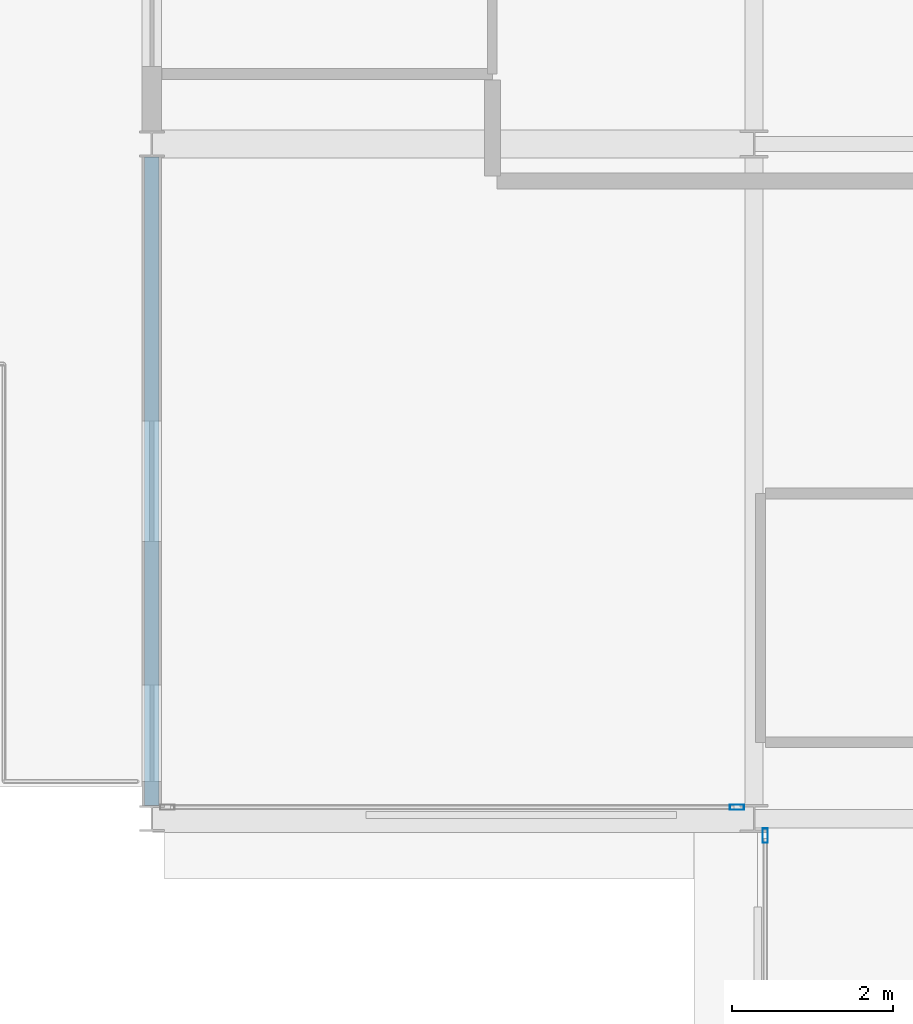
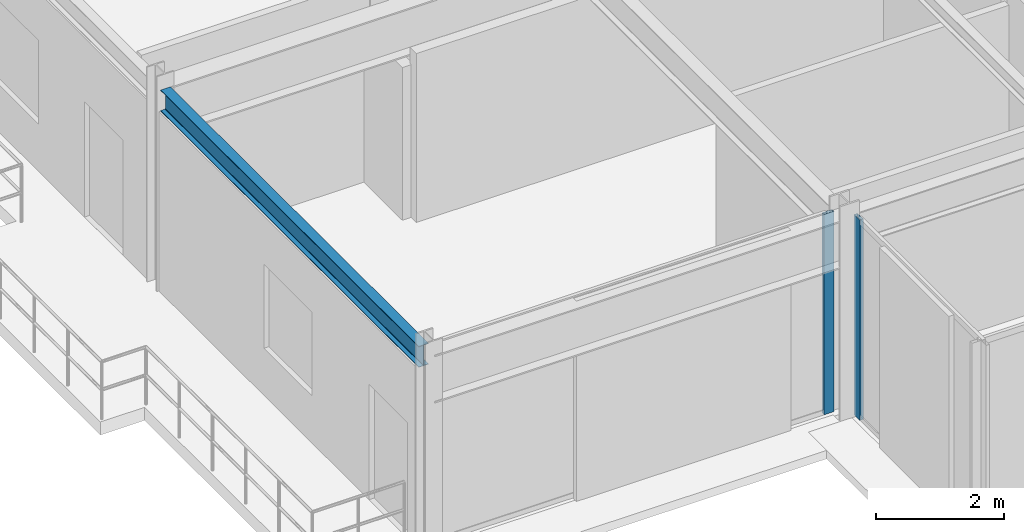
# One storey, part 4 of 29: 2 members, 1 beam, 2 elements without a shape of their own.
"""IFC4 building model written with IfcOpenShell, lengths in metres."""

from ifc_helpers import new_model, si_unit, direction, frame, origin, origin_2d, place, context, subcontext, project, spatial, hollow_rectangle, i_section, extrude, material, layer, layer_set, material_profile, profile_set, type_object, element, aggregate, save


model = new_model("IFC4")

# Units and contexts
model_context = context("Model", 3, precision=1e-05, world=origin(), true_north=direction((0.0, 1.0)))
body_context = subcontext(model_context, "Body", "Model", "MODEL_VIEW")
ifc_project = project(units=[si_unit("LENGTHUNIT", "METRE"), si_unit("AREAUNIT", "SQUARE_METRE"), si_unit("VOLUMEUNIT", "CUBIC_METRE"), si_unit("PLANEANGLEUNIT", "RADIAN"), si_unit("MASSUNIT", "GRAM", prefix="KILO")], contexts=[model_context])

# Site, building, storey
site_placement = place(None, origin())
site = spatial("IfcSite", under=ifc_project, at=site_placement, CompositionType="ELEMENT")
building_placement = place(site_placement, origin())
building = spatial("IfcBuilding", under=site, at=building_placement, Name="Nerrivon Quay Data Exchange", CompositionType="ELEMENT")
storey_placement = place(building_placement, frame((0.0, 0.0, 204.199951171875)))
storey = spatial("IfcBuildingStorey", under=building, at=storey_placement, Name="L48", CompositionType="ELEMENT", Elevation=204.199951171875)

# Beam
ifc_material_1 = material(Name="Steel Grade 350", Category="steel")
ifc_material_profile_1 = material_profile(ifc_material_1, i_section(OverallWidth=0.177978515625, OverallDepth=0.403076171875, WebThickness=0.007568359375, FlangeThickness=0.010986328125, FilletRadius=0.011474609375, at=origin_2d()), Name="410UB53.7")
ifc_profile_set_1 = profile_set([ifc_material_profile_1], Name="Steel Grade 350")
beam_type = type_object("IfcBeamType", Name="BM-SP2-410UB54", PredefinedType="SPANDREL", material=ifc_profile_set_1)
beam_placement = place(storey_placement, frame((-7.5, 8.5634765625, 3.62353515625), z_axis=(0.0, 1.0, 0.0), x_axis=(-1.0, 0.0, 0.0)))
element("IfcBeam", 1, at=beam_placement, inside=storey, type_object=beam_type, Name="L48 West Hooked Edge Spandrel", PredefinedType="SPANDREL", context=body_context, shape_type="SweptSolid", body=[
    extrude(i_section(OverallWidth=0.177978515625, OverallDepth=0.403076171875, WebThickness=0.007568359375, FlangeThickness=0.010986328125, FilletRadius=0.011474609375, at=origin_2d()), origin(), (0.0, 0.0, 1.0), 8.072998046875),
])

# Curtain wall, member
ifc_material_2 = material(Name="Anodised aluminium 6063-T6", Category="aluminium")
ifc_layer_1 = layer(ifc_material_2, 0.195068359375)
ifc_layer_set_1 = layer_set([ifc_layer_1], Name="Anodised aluminium 6063-T6")
curtain_wall_type_1 = type_object("IfcCurtainWallType", Name="CW-SYS-06", PredefinedType="NOTDEFINED", material=ifc_layer_set_1)
curtain_wall_1_placement = place(storey_placement, origin())
curtain_wall_1 = element("IfcCurtainWall", 2, at=curtain_wall_1_placement, inside=storey, type_object=curtain_wall_type_1, Name="L48 Unitised Curtain Wall 31", PredefinedType="NOTDEFINED")
ifc_material_profile_2 = material_profile(ifc_material_2, hollow_rectangle(XDim=0.06494140625, YDim=0.179931640625, WallThickness=0.00341796875, at=origin_2d()), Name="ALU-MULL-180x65")
ifc_profile_set_2 = profile_set([ifc_material_profile_2], Name="Anodised aluminium 6063-T6")
member_type = type_object("IfcMemberType", Name="CWM-180x65", PredefinedType="MULLION", material=ifc_profile_set_2)
member_1_placement = place(storey_placement, frame((0.139892578125, 8.1875, 0.0), z_axis=(0.0, 0.0, 1.0), x_axis=(-1.0, 0.0, 0.0)))
member_1 = element("IfcMember", 3, at=member_1_placement, type_object=member_type, Name="CW06 mullion 2", PredefinedType="MULLION", context=body_context, shape_type="SweptSolid", body=[
    extrude(hollow_rectangle(XDim=0.06494140625, YDim=0.179931640625, WallThickness=0.00341796875, at=origin_2d()), origin(), (0.0, 0.0, 1.0), 3.824951171875),
])
aggregate(curtain_wall_1, [member_1])

ifc_layer_2 = layer(ifc_material_2, 0.199951171875)
ifc_layer_set_2 = layer_set([ifc_layer_2], Name="Anodised aluminium 6063-T6")
curtain_wall_type_2 = type_object("IfcCurtainWallType", Name="CW-SYS-04", PredefinedType="NOTDEFINED", material=ifc_layer_set_2)
curtain_wall_2_placement = place(storey_placement, origin())
curtain_wall_2 = element("IfcCurtainWall", 4, at=curtain_wall_2_placement, inside=storey, type_object=curtain_wall_type_2, Name="L48 Unitised Curtain Wall 32", PredefinedType="NOTDEFINED")
member_2_placement = place(storey_placement, frame((-0.21240234375, 8.5400390625, 0.0), z_axis=(0.0, 0.0, 1.0), x_axis=(0.0, -1.0, 0.0)))
member_2 = element("IfcMember", 5, at=member_2_placement, type_object=member_type, Name="CW04 mullion 1", PredefinedType="MULLION", context=body_context, shape_type="SweptSolid", body=[
    extrude(hollow_rectangle(XDim=0.06494140625, YDim=0.179931640625, WallThickness=0.00341796875, at=origin_2d()), origin(), (0.0, 0.0, 1.0), 3.824951171875),
])
aggregate(curtain_wall_2, [member_2])

save(model, "model.ifc")
